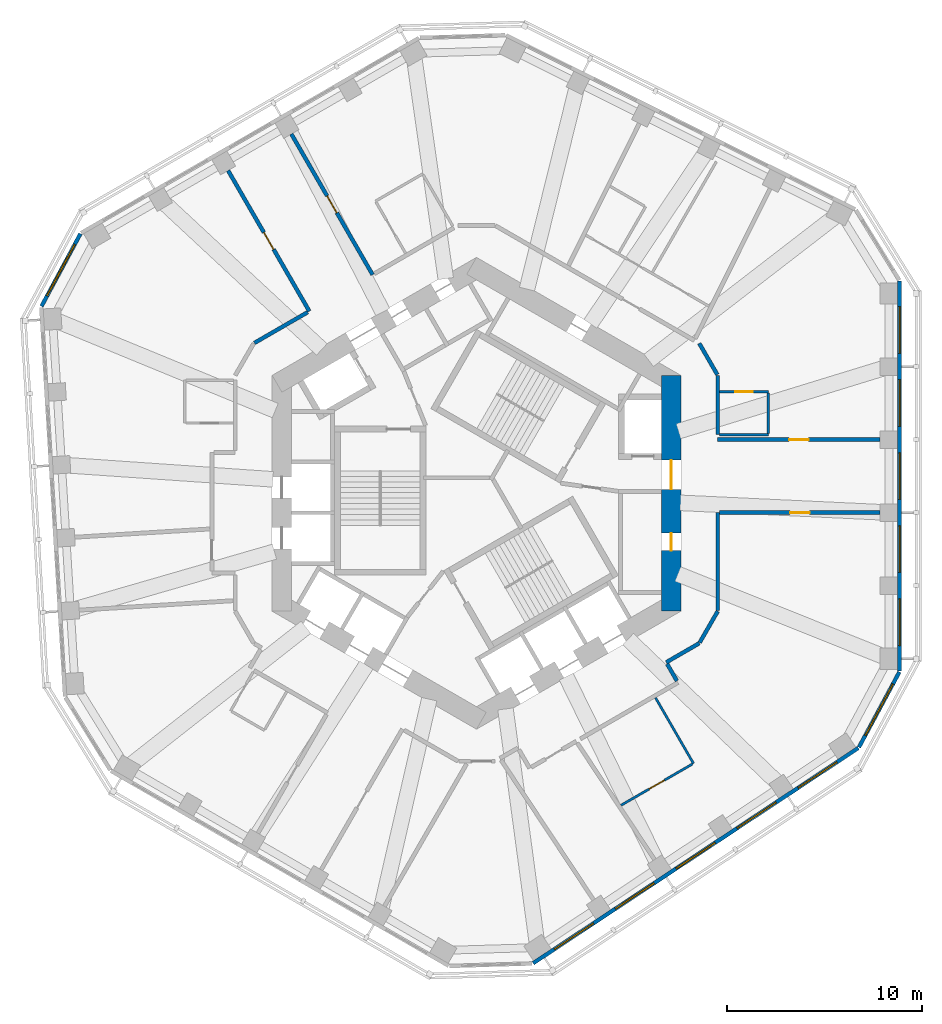
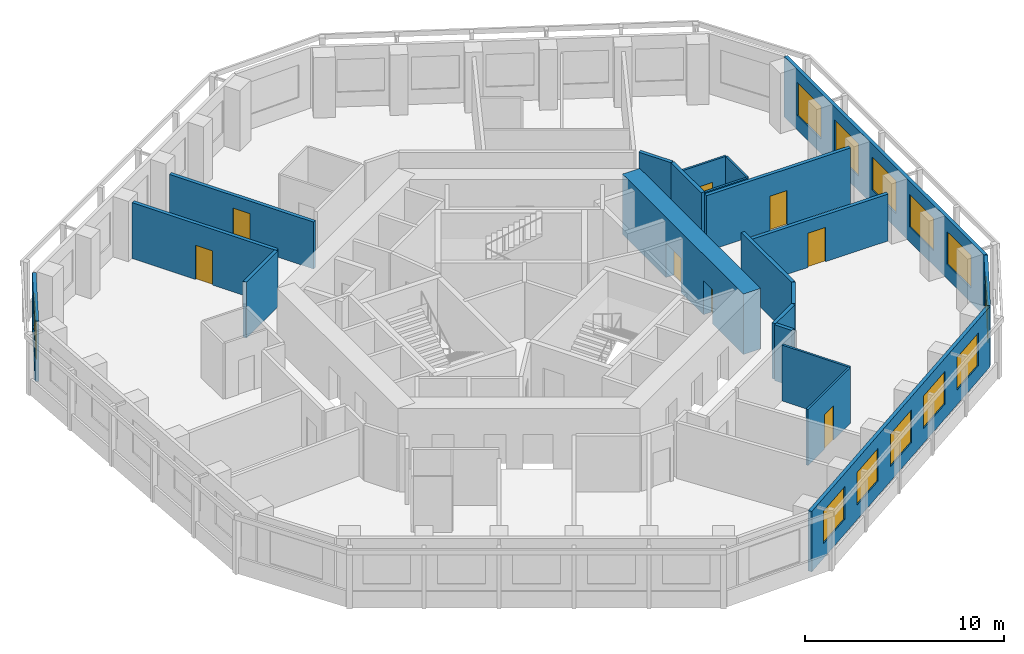
# One storey, part 6 of 11: 21 walls, 12 windows, 8 doors, 20 openings.
"""IFC4 building model written with IfcOpenShell, lengths in metres."""

from ifc_helpers import new_model, si_unit, direction, frame, frame_2d, origin, place, context, subcontext, project, spatial, rectangle, extrude, material, layer, layer_set, type_object, element, fill, save


model = new_model("IFC4")

# Units and contexts
model_context = context("Model", 3, precision=1e-05, world=origin(), true_north=direction((0.0, 1.0)))
body_context = subcontext(model_context, "Body", "Model", "MODEL_VIEW")
ifc_project = project(units=[si_unit("LENGTHUNIT", "METRE"), si_unit("AREAUNIT", "SQUARE_METRE"), si_unit("VOLUMEUNIT", "CUBIC_METRE"), si_unit("PLANEANGLEUNIT", "RADIAN"), si_unit("MASSUNIT", "GRAM", prefix="KILO")], contexts=[model_context])

# Site, building, storey
site_placement = place(None, origin())
site = spatial("IfcSite", under=ifc_project, at=site_placement, CompositionType="ELEMENT")
building_placement = place(site_placement, origin())
building = spatial("IfcBuilding", under=site, at=building_placement, Name="Vanh Sen Convention Tower", CompositionType="ELEMENT")
storey_placement = place(building_placement, frame((0.0, 0.0, 187.300048828125)))
storey = spatial("IfcBuildingStorey", under=building, at=storey_placement, Name="L46", CompositionType="ELEMENT", Elevation=187.300048828125)

# Wall
ifc_material_1 = material(Name="Moisture-resistant gypsum board on steel studs", Category="steel")
ifc_layer_1 = layer(ifc_material_1, 0.1201171875)
ifc_layer_set_1 = layer_set([ifc_layer_1], Name="Moisture-resistant gypsum board on steel studs")
wall_type_1 = type_object("IfcWallType", Name="Bathroom partition 120", PredefinedType="PARTITIONING", material=ifc_layer_set_1)
wall_1_placement = place(storey_placement, frame((9.201904296875, -10.5078125, 0.0), z_axis=(0.0, 0.0, 1.0), x_axis=(0.500043961785, -0.866000020948, 0.0)))
element("IfcWall", 1, at=wall_1_placement, inside=storey, type_object=wall_type_1, Name="Bathroom partition 120", PredefinedType="PARTITIONING", context=body_context, shape_type="SweptSolid", body=[
    extrude(rectangle(XDim=3.900146484375, YDim=0.1201171875, at=frame_2d((1.9501953125, 0.0))), origin(), (0.0, 0.0, 1.0), 3.419921875),
])

# Wall, opening, door
wall_2_placement = place(storey_placement, frame((11.10009765625, -13.915283203125, 0.0), z_axis=(0.0, 0.0, 1.0), x_axis=(-0.866048475386, -0.499960036685, 0.0)))
wall_2 = element("IfcWall", 2, at=wall_2_placement, inside=storey, type_object=wall_type_1, Name="Bathroom partition 120", PredefinedType="PARTITIONING", context=body_context, shape_type="SweptSolid", body=[
    extrude(rectangle(XDim=4.239990234375, YDim=0.1201171875, at=frame_2d((2.1201171875, 0.0))), origin(), (0.0, 0.0, 1.0), 3.419921875),
])
opening_1_placement = place(wall_2_placement, frame((1.669921875, 0.0, 0.0)))
opening_1 = element("IfcOpeningElement", 3, at=opening_1_placement, cuts=wall_2, Name="Opening D44118", PredefinedType="OPENING", context=body_context, shape_type="SweptSolid", body=[
    extrude(rectangle(XDim=0.89990234375, YDim=2.10009765625, at=frame_2d((0.449951171875, 1.050048828125))), frame((0.0, 0.070068359375, 0.0), z_axis=(0.0, -1.0, 0.0), x_axis=(1.0, 0.0, 0.0)), (0.0, 0.0, 1.0), 0.14013671875),
])
ifc_material_2 = material(Name="Laminate door in steel frame", Category="steel")
door_type_1 = type_object("IfcDoorType", Name="Room internal door 900", OperationType="SINGLE_SWING_LEFT", PredefinedType="DOOR", material=ifc_material_2)
door_1_placement = place(opening_1_placement, origin())
door_1 = element("IfcDoor", 4, at=door_1_placement, inside=storey, type_object=door_type_1, Name="Internal room door D44118", OperationType="SINGLE_SWING_LEFT", OverallHeight=2.10009765625, OverallWidth=0.89990234375, PredefinedType="DOOR", context=body_context, shape_type="SweptSolid", body=[
    extrude(rectangle(XDim=0.89990234375, YDim=2.10009765625, at=frame_2d((0.449951171875, 1.050048828125))), frame((0.0, 0.02490234375, 0.0), z_axis=(0.0, -1.0, 0.0), x_axis=(1.0, 0.0, 0.0)), (0.0, 0.0, 1.0), 0.050048828125),
])
fill(opening_1, door_1)

wall_3_placement = place(storey_placement, frame((12.5, 5.211181640625, 0.0), z_axis=(0.0, 0.0, 1.0), x_axis=(1.0, 0.0, 0.0)))
wall_3 = element("IfcWall", 5, at=wall_3_placement, inside=storey, type_object=wall_type_1, Name="Bathroom partition 120", PredefinedType="PARTITIONING", context=body_context, shape_type="SweptSolid", body=[
    extrude(rectangle(XDim=2.5, YDim=0.1201171875, at=frame_2d((1.25, 0.0))), origin(), (0.0, 0.0, 1.0), 3.419921875),
])
opening_2_placement = place(wall_3_placement, frame((0.800048828125, 0.0, 0.0)))
opening_2 = element("IfcOpeningElement", 6, at=opening_2_placement, cuts=wall_3, Name="Opening D44102", PredefinedType="OPENING", context=body_context, shape_type="SweptSolid", body=[
    extrude(rectangle(XDim=0.89990234375, YDim=2.10009765625, at=frame_2d((0.449951171875, 1.050048828125))), frame((0.0, 0.070068359375, 0.0), z_axis=(0.0, -1.0, 0.0), x_axis=(1.0, 0.0, 0.0)), (0.0, 0.0, 1.0), 0.14013671875),
])
door_2_placement = place(opening_2_placement, origin())
door_2 = element("IfcDoor", 7, at=door_2_placement, inside=storey, type_object=door_type_1, Name="Internal room door D44102", OperationType="SINGLE_SWING_LEFT", OverallHeight=2.10009765625, OverallWidth=0.89990234375, PredefinedType="DOOR", context=body_context, shape_type="SweptSolid", body=[
    extrude(rectangle(XDim=0.89990234375, YDim=2.10009765625, at=frame_2d((0.449951171875, 1.050048828125))), frame((0.0, 0.02490234375, 0.0), z_axis=(0.0, -1.0, 0.0), x_axis=(1.0, 0.0, 0.0)), (0.0, 0.0, 1.0), 0.050048828125),
])
fill(opening_2, door_2)

# Walls
wall_4_placement = place(storey_placement, frame((15.0, 3.01123046875, 0.0), z_axis=(0.0, 0.0, 1.0), x_axis=(-1.0, 0.0, 0.0)))
element("IfcWall", 8, at=wall_4_placement, inside=storey, type_object=wall_type_1, Name="Bathroom partition 120", PredefinedType="PARTITIONING", context=body_context, shape_type="SweptSolid", body=[
    extrude(rectangle(XDim=2.5, YDim=0.1201171875, at=frame_2d((1.25, 0.0))), origin(), (0.0, 0.0, 1.0), 3.419921875),
])
wall_5_placement = place(storey_placement, frame((15.0, 5.1513671875, 0.0), z_axis=(0.0, 0.0, 1.0), x_axis=(0.0, -1.0, 0.0)))
element("IfcWall", 9, at=wall_5_placement, inside=storey, type_object=wall_type_1, Name="Bathroom partition 120", PredefinedType="PARTITIONING", context=body_context, shape_type="SweptSolid", body=[
    extrude(rectangle(XDim=2.080078125, YDim=0.1201171875, at=frame_2d((1.0400390625, 0.0))), origin(), (0.0, 0.0, 1.0), 3.419921875),
])

# Wall, openings, doors
ifc_material_3 = material(Name="Concrete C80/95", Category="concrete")
ifc_layer_2 = layer(ifc_material_3, 1.0)
ifc_layer_set_2 = layer_set([ifc_layer_2], Name="Concrete C80/95")
wall_type_2 = type_object("IfcWallType", Name="Core outer wall 1000 C80/95", PredefinedType="SHEAR", material=ifc_layer_set_2)
wall_6_placement = place(storey_placement, frame((10.0, -6.062255859375, 0.0), z_axis=(0.0, 0.0, 1.0), x_axis=(0.0, 1.0, 0.0)))
wall_6 = element("IfcWall", 10, at=wall_6_placement, inside=storey, type_object=wall_type_2, Name="Core wall face E L46", PredefinedType="SHEAR", context=body_context, shape_type="SweptSolid", body=[
    extrude(rectangle(XDim=12.12451171875, YDim=1.0, at=frame_2d((6.062255859375, 0.0))), origin(), (0.0, 0.0, 1.0), 3.699951171875),
])
opening_3_placement = place(wall_6_placement, frame((6.26220703125, 0.0, 0.0)))
opening_3 = element("IfcOpeningElement", 11, at=opening_3_placement, cuts=wall_6, Name="Opening D44001", PredefinedType="OPENING", context=body_context, shape_type="SweptSolid", body=[
    extrude(rectangle(XDim=1.5, YDim=2.10009765625, at=frame_2d((0.75, 1.050048828125))), frame((0.0, 0.510009765625, 0.0), z_axis=(0.0, -1.0, 0.0), x_axis=(1.0, 0.0, 0.0)), (0.0, 0.0, 1.0), 1.02001953125),
])
opening_4_placement = place(wall_6_placement, frame((3.1123046875, 0.0, 0.0)))
opening_4 = element("IfcOpeningElement", 12, at=opening_4_placement, cuts=wall_6, Name="Opening D44010", PredefinedType="OPENING", context=body_context, shape_type="SweptSolid", body=[
    extrude(rectangle(XDim=0.89990234375, YDim=2.10009765625, at=frame_2d((0.449951171875, 1.050048828125))), frame((0.0, 0.510009765625, 0.0), z_axis=(0.0, -1.0, 0.0), x_axis=(1.0, 0.0, 0.0)), (0.0, 0.0, 1.0), 1.02001953125),
])
ifc_material_4 = material(Name="Steel S355", Category="steel")
door_type_2 = type_object("IfcDoorType", Name="Plant door 900", OperationType="SINGLE_SWING_LEFT", PredefinedType="DOOR", material=ifc_material_4)
door_3_placement = place(opening_4_placement, origin())
door_3 = element("IfcDoor", 13, at=door_3_placement, inside=storey, type_object=door_type_2, Name="Plant door D44010", OperationType="SINGLE_SWING_LEFT", OverallHeight=2.10009765625, OverallWidth=0.89990234375, PredefinedType="DOOR", context=body_context, shape_type="SweptSolid", body=[
    extrude(rectangle(XDim=0.89990234375, YDim=2.10009765625, at=frame_2d((0.449951171875, 1.050048828125))), frame((0.0, 0.02490234375, 0.0), z_axis=(0.0, -1.0, 0.0), x_axis=(1.0, 0.0, 0.0)), (0.0, 0.0, 1.0), 0.050048828125),
])
fill(opening_4, door_3)
door_type_3 = type_object("IfcDoorType", Name="Stair lobby door 1500", OperationType="DOUBLE_DOOR_SINGLE_SWING", PredefinedType="DOOR", material=ifc_material_4)
door_4_placement = place(opening_3_placement, origin())
door_4 = element("IfcDoor", 14, at=door_4_placement, inside=storey, type_object=door_type_3, Name="Stair lobby door D44001", OperationType="DOUBLE_DOOR_SINGLE_SWING", OverallHeight=2.10009765625, OverallWidth=1.5, PredefinedType="DOOR", context=body_context, shape_type="SweptSolid", body=[
    extrude(rectangle(XDim=1.5, YDim=2.10009765625, at=frame_2d((0.75, 1.050048828125))), frame((0.0, 0.02490234375, 0.0), z_axis=(0.0, -1.0, 0.0), x_axis=(1.0, 0.0, 0.0)), (0.0, 0.0, 1.0), 0.050048828125),
])
fill(opening_3, door_4)

# Wall, opening, door
ifc_material_5 = material(Name="Gypsum board on steel studs with mineral wool", Category="steel")
ifc_layer_3 = layer(ifc_material_5, 0.199951171875)
ifc_layer_set_3 = layer_set([ifc_layer_3], Name="Gypsum board on steel studs with mineral wool")
wall_type_3 = type_object("IfcWallType", Name="Corridor partition wall 200", PredefinedType="PARTITIONING", material=ifc_layer_set_3)
wall_7_placement = place(storey_placement, frame((-12.766357421875, 16.58935546875, 0.0), z_axis=(0.0, 0.0, 1.0), x_axis=(0.500010139422, -0.866019549707, 0.0)))
wall_7 = element("IfcWall", 15, at=wall_7_placement, inside=storey, type_object=wall_type_3, Name="Corridor partition wall 200", PredefinedType="PARTITIONING", context=body_context, shape_type="SweptSolid", body=[
    extrude(rectangle(XDim=8.349853515625, YDim=0.199951171875, at=frame_2d((4.1748046875, 0.0))), origin(), (0.0, 0.0, 1.0), 3.419921875),
])
opening_5_placement = place(wall_7_placement, frame((3.675048828125, 0.0, 0.0)))
opening_5 = element("IfcOpeningElement", 16, at=opening_5_placement, cuts=wall_7, Name="Opening D44109", PredefinedType="OPENING", context=body_context, shape_type="SweptSolid", body=[
    extrude(rectangle(XDim=1.0, YDim=2.10009765625, at=frame_2d((0.5, 1.050048828125))), frame((0.0, 0.10986328125, 0.0), z_axis=(0.0, -1.0, 0.0), x_axis=(1.0, 0.0, 0.0)), (0.0, 0.0, 1.0), 0.219970703125),
])
ifc_material_6 = material(Name="Glazed fire door in steel frame", Category="steel")
door_type_4 = type_object("IfcDoorType", Name="Tenant entrance door 1000", OperationType="SINGLE_SWING_LEFT", PredefinedType="DOOR", material=ifc_material_6)
door_5_placement = place(opening_5_placement, origin())
door_5 = element("IfcDoor", 17, at=door_5_placement, inside=storey, type_object=door_type_4, Name="Tenant suite entrance door D44109", OperationType="SINGLE_SWING_LEFT", OverallHeight=2.10009765625, OverallWidth=1.0, PredefinedType="DOOR", context=body_context, shape_type="SweptSolid", body=[
    extrude(rectangle(XDim=1.0, YDim=2.10009765625, at=frame_2d((0.5, 1.050048828125))), frame((0.0, 0.02490234375, 0.0), z_axis=(0.0, -1.0, 0.0), x_axis=(1.0, 0.0, 0.0)), (0.0, 0.0, 1.0), 0.050048828125),
])
fill(opening_5, door_5)

wall_8_placement = place(storey_placement, frame((-9.51513671875, 18.46630859375, 0.0), z_axis=(0.0, 0.0, 1.0), x_axis=(0.500010139422, -0.866019549707, 0.0)))
wall_8 = element("IfcWall", 18, at=wall_8_placement, inside=storey, type_object=wall_type_3, Name="Corridor partition wall 200", PredefinedType="PARTITIONING", context=body_context, shape_type="SweptSolid", body=[
    extrude(rectangle(XDim=8.349853515625, YDim=0.199951171875, at=frame_2d((4.1748046875, 0.0))), origin(), (0.0, 0.0, 1.0), 2.869873046875),
])
opening_6_placement = place(wall_8_placement, frame((3.675048828125, 0.0, 0.0)))
opening_6 = element("IfcOpeningElement", 19, at=opening_6_placement, cuts=wall_8, Name="Opening D44107", PredefinedType="OPENING", context=body_context, shape_type="SweptSolid", body=[
    extrude(rectangle(XDim=1.0, YDim=2.10009765625, at=frame_2d((0.5, 1.050048828125))), frame((0.0, 0.10986328125, 0.0), z_axis=(0.0, -1.0, 0.0), x_axis=(1.0, 0.0, 0.0)), (0.0, 0.0, 1.0), 0.219970703125),
])
door_6_placement = place(opening_6_placement, origin())
door_6 = element("IfcDoor", 20, at=door_6_placement, inside=storey, type_object=door_type_4, Name="Tenant suite entrance door D44107", OperationType="SINGLE_SWING_LEFT", OverallHeight=2.10009765625, OverallWidth=1.0, PredefinedType="DOOR", context=body_context, shape_type="SweptSolid", body=[
    extrude(rectangle(XDim=1.0, YDim=2.10009765625, at=frame_2d((0.5, 1.050048828125))), frame((0.0, 0.02490234375, 0.0), z_axis=(0.0, -1.0, 0.0), x_axis=(1.0, 0.0, 0.0)), (0.0, 0.0, 1.0), 0.050048828125),
])
fill(opening_6, door_6)

# Walls
wall_9_placement = place(storey_placement, frame((-8.677978515625, 9.30810546875, 0.0), z_axis=(0.0, 0.0, 1.0), x_axis=(-0.866000359435, -0.500043375578, 0.0)))
element("IfcWall", 21, at=wall_9_placement, inside=storey, type_object=wall_type_3, Name="Corridor partition wall 200", PredefinedType="PARTITIONING", context=body_context, shape_type="SweptSolid", body=[
    extrude(rectangle(XDim=3.160888671875, YDim=0.199951171875, at=frame_2d((1.58056640625, 0.0))), origin(), (0.0, 0.0, 1.0), 3.419921875),
])
wall_10_placement = place(storey_placement, frame((9.751708984375, -8.688232421875, 0.0), z_axis=(0.0, 0.0, 1.0), x_axis=(0.865974105138, 0.500088841337, 0.0)))
element("IfcWall", 22, at=wall_10_placement, inside=storey, type_object=wall_type_3, Name="Corridor partition wall 200", PredefinedType="PARTITIONING", context=body_context, shape_type="SweptSolid", body=[
    extrude(rectangle(XDim=1.961181640625, YDim=0.199951171875, at=frame_2d((0.98046875, 0.0))), origin(), (0.0, 0.0, 1.0), 3.419921875),
])
wall_11_placement = place(storey_placement, frame((10.302001953125, -9.6416015625, 0.0), z_axis=(0.0, 0.0, 1.0), x_axis=(-0.500074377092, 0.865982457891, 0.0)))
element("IfcWall", 23, at=wall_11_placement, inside=storey, type_object=wall_type_3, Name="Corridor partition wall 200", PredefinedType="PARTITIONING", context=body_context, shape_type="SweptSolid", body=[
    extrude(rectangle(XDim=1.000732421875, YDim=0.199951171875, at=frame_2d((0.50048828125, 0.0))), origin(), (0.0, 0.0, 1.0), 3.419921875),
])
for number, where, z_axis, x_axis, name in (
    (24, (11.469970703125, -7.673095703125, 0.0), (0.0, 0.0, 1.0), (0.499964847546, 0.866045698112, 0.0), "Corridor partition wall 200"),
    (25, (12.3798828125, 6.0966796875, 0.0), (0.0, 0.0, 1.0), (-0.499964847546, 0.866045698112, 0.0), "Corridor partition wall 200"),
):
    element("IfcWall", number, at=place(storey_placement, frame(where, z_axis=z_axis, x_axis=x_axis)), inside=storey, type_object=wall_type_3, Name=name, PredefinedType="PARTITIONING", context=body_context, shape_type="SweptSolid", body=[
        extrude(rectangle(XDim=1.860107421875, YDim=0.199951171875, at=frame_2d((0.93017578125, 0.0))), origin(), (0.0, 0.0, 1.0), 3.419921875),
    ])
wall_12_placement = place(storey_placement, frame((12.39990234375, -6.022216796875, 0.0), z_axis=(0.0, 0.0, 1.0), x_axis=(0.0, 1.0, 0.0)))
element("IfcWall", 26, at=wall_12_placement, inside=storey, type_object=wall_type_3, Name="Corridor partition wall 200", PredefinedType="PARTITIONING", context=body_context, shape_type="SweptSolid", body=[
    extrude(rectangle(XDim=5.029296875, YDim=0.199951171875, at=frame_2d((2.5146484375, 0.0))), origin(), (0.0, 0.0, 1.0), 3.419921875),
])
wall_13_placement = place(storey_placement, frame((12.39990234375, 3.01123046875, 0.0), z_axis=(0.0, 0.0, 1.0), x_axis=(0.0, 1.0, 0.0)))
element("IfcWall", 27, at=wall_13_placement, inside=storey, type_object=wall_type_3, Name="Corridor partition wall 200", PredefinedType="PARTITIONING", context=body_context, shape_type="SweptSolid", body=[
    extrude(rectangle(XDim=3.051025390625, YDim=0.199951171875, at=frame_2d((1.525390625, 0.0))), origin(), (0.0, 0.0, 1.0), 3.419921875),
])

# Wall, opening, door
wall_14_placement = place(storey_placement, frame((12.5, -0.992919921875, 0.0), z_axis=(0.0, 0.0, 1.0), x_axis=(1.0, 0.0, 0.0)))
wall_14 = element("IfcWall", 28, at=wall_14_placement, inside=storey, type_object=wall_type_3, Name="Corridor partition wall 200", PredefinedType="PARTITIONING", context=body_context, shape_type="SweptSolid", body=[
    extrude(rectangle(XDim=8.25, YDim=0.199951171875, at=frame_2d((4.125, 0.0))), origin(), (0.0, 0.0, 1.0), 2.869873046875),
])
opening_7_placement = place(wall_14_placement, frame((3.625, 0.0, 0.0)))
opening_7 = element("IfcOpeningElement", 29, at=opening_7_placement, cuts=wall_14, Name="Opening D44117", PredefinedType="OPENING", context=body_context, shape_type="SweptSolid", body=[
    extrude(rectangle(XDim=1.0, YDim=2.10009765625, at=frame_2d((0.5, 1.050048828125))), frame((0.0, 0.10986328125, 0.0), z_axis=(0.0, -1.0, 0.0), x_axis=(1.0, 0.0, 0.0)), (0.0, 0.0, 1.0), 0.219970703125),
])
door_7_placement = place(opening_7_placement, origin())
door_7 = element("IfcDoor", 30, at=door_7_placement, inside=storey, type_object=door_type_4, Name="Tenant suite entrance door D44117", OperationType="SINGLE_SWING_LEFT", OverallHeight=2.10009765625, OverallWidth=1.0, PredefinedType="DOOR", context=body_context, shape_type="SweptSolid", body=[
    extrude(rectangle(XDim=1.0, YDim=2.10009765625, at=frame_2d((0.5, 1.050048828125))), frame((0.0, 0.02490234375, 0.0), z_axis=(0.0, -1.0, 0.0), x_axis=(1.0, 0.0, 0.0)), (0.0, 0.0, 1.0), 0.050048828125),
])
fill(opening_7, door_7)

wall_15_placement = place(storey_placement, frame((20.75, 2.76123046875, 0.0), z_axis=(0.0, 0.0, 1.0), x_axis=(-1.0, 0.0, 0.0)))
wall_15 = element("IfcWall", 31, at=wall_15_placement, inside=storey, type_object=wall_type_3, Name="Corridor partition wall 200", PredefinedType="PARTITIONING", context=body_context, shape_type="SweptSolid", body=[
    extrude(rectangle(XDim=8.35009765625, YDim=0.199951171875, at=frame_2d((4.175048828125, 0.0))), origin(), (0.0, 0.0, 1.0), 3.419921875),
])
opening_8_placement = place(wall_15_placement, frame((3.675048828125, 0.0, 0.0)))
opening_8 = element("IfcOpeningElement", 32, at=opening_8_placement, cuts=wall_15, Name="Opening D44101", PredefinedType="OPENING", context=body_context, shape_type="SweptSolid", body=[
    extrude(rectangle(XDim=1.0, YDim=2.10009765625, at=frame_2d((0.5, 1.050048828125))), frame((0.0, 0.10986328125, 0.0), z_axis=(0.0, -1.0, 0.0), x_axis=(1.0, 0.0, 0.0)), (0.0, 0.0, 1.0), 0.219970703125),
])
door_8_placement = place(opening_8_placement, origin())
door_8 = element("IfcDoor", 33, at=door_8_placement, inside=storey, type_object=door_type_4, Name="Tenant suite entrance door D44101", OperationType="SINGLE_SWING_LEFT", OverallHeight=2.10009765625, OverallWidth=1.0, PredefinedType="DOOR", context=body_context, shape_type="SweptSolid", body=[
    extrude(rectangle(XDim=1.0, YDim=2.10009765625, at=frame_2d((0.5, 1.050048828125))), frame((0.0, 0.02490234375, 0.0), z_axis=(0.0, -1.0, 0.0), x_axis=(1.0, 0.0, 0.0)), (0.0, 0.0, 1.0), 0.050048828125),
])
fill(opening_8, door_8)

# Wall, openings, windows
ifc_material_7 = material(Name="Insulated lightweight infill wall")
ifc_layer_4 = layer(ifc_material_7, 0.199951171875)
ifc_layer_set_4 = layer_set([ifc_layer_4], Name="Insulated lightweight infill wall")
wall_type_4 = type_object("IfcWallType", Name="External wall 200", PredefinedType="STANDARD", material=ifc_layer_set_4)
wall_16_placement = place(storey_placement, frame((21.75, -9.138427734375, 0.0), z_axis=(0.0, 0.0, 1.0), x_axis=(0.0, 1.0, 0.0)))
wall_16 = element("IfcWall", 34, at=wall_16_placement, inside=storey, type_object=wall_type_4, Name="External wall E L46", PredefinedType="STANDARD", context=body_context, shape_type="SweptSolid", body=[
    extrude(rectangle(XDim=20.043701171875, YDim=0.199951171875, at=frame_2d((10.02197265625, 0.0))), origin(), (0.0, 0.0, 1.0), 3.699951171875),
])
opening_9_placement = place(wall_16_placement, frame((1.314453125, 0.0, 0.89990234375)))
opening_9 = element("IfcOpeningElement", 35, at=opening_9_placement, cuts=wall_16, Name="Opening WO1-E1", PredefinedType="OPENING", context=body_context, shape_type="SweptSolid", body=[
    extrude(rectangle(XDim=2.39990234375, YDim=2.0, at=frame_2d((1.199951171875, 1.0))), frame((0.0, 0.10986328125, 0.0), z_axis=(0.0, -1.0, 0.0), x_axis=(1.0, 0.0, 0.0)), (0.0, 0.0, 1.0), 0.219970703125),
])
opening_10_placement = place(wall_16_placement, frame((5.068603515625, 0.0, 0.89990234375)))
opening_10 = element("IfcOpeningElement", 36, at=opening_10_placement, cuts=wall_16, Name="Opening WO1-E2", PredefinedType="OPENING", context=body_context, shape_type="SweptSolid", body=[
    extrude(rectangle(XDim=2.39990234375, YDim=2.0, at=frame_2d((1.199951171875, 1.0))), frame((0.0, 0.10986328125, 0.0), z_axis=(0.0, -1.0, 0.0), x_axis=(1.0, 0.0, 0.0)), (0.0, 0.0, 1.0), 0.219970703125),
])
opening_11_placement = place(wall_16_placement, frame((8.82275390625, 0.0, 0.89990234375)))
opening_11 = element("IfcOpeningElement", 37, at=opening_11_placement, cuts=wall_16, Name="Opening WO1-E3", PredefinedType="OPENING", context=body_context, shape_type="SweptSolid", body=[
    extrude(rectangle(XDim=2.39990234375, YDim=2.0, at=frame_2d((1.199951171875, 1.0))), frame((0.0, 0.10986328125, 0.0), z_axis=(0.0, -1.0, 0.0), x_axis=(1.0, 0.0, 0.0)), (0.0, 0.0, 1.0), 0.219970703125),
])
opening_12_placement = place(wall_16_placement, frame((12.576904296875, 0.0, 0.89990234375)))
opening_12 = element("IfcOpeningElement", 38, at=opening_12_placement, cuts=wall_16, Name="Opening WO1-E4", PredefinedType="OPENING", context=body_context, shape_type="SweptSolid", body=[
    extrude(rectangle(XDim=2.39990234375, YDim=2.0, at=frame_2d((1.199951171875, 1.0))), frame((0.0, 0.10986328125, 0.0), z_axis=(0.0, -1.0, 0.0), x_axis=(1.0, 0.0, 0.0)), (0.0, 0.0, 1.0), 0.219970703125),
])
opening_13_placement = place(wall_16_placement, frame((16.330810546875, 0.0, 0.89990234375)))
opening_13 = element("IfcOpeningElement", 39, at=opening_13_placement, cuts=wall_16, Name="Opening WO1-E5", PredefinedType="OPENING", context=body_context, shape_type="SweptSolid", body=[
    extrude(rectangle(XDim=2.39990234375, YDim=2.0, at=frame_2d((1.199951171875, 1.0))), frame((0.0, 0.10986328125, 0.0), z_axis=(0.0, -1.0, 0.0), x_axis=(1.0, 0.0, 0.0)), (0.0, 0.0, 1.0), 0.219970703125),
])
ifc_material_8 = material(Name="Aluminium frame with clear low-emissivity glass", Category="aluminium")
window_type_1 = type_object("IfcWindowType", Name="Office window 2400 x 2000", PartitioningType="SINGLE_PANEL", PredefinedType="WINDOW", material=ifc_material_8)
window_1_placement = place(opening_9_placement, origin())
window_1 = element("IfcWindow", 40, at=window_1_placement, inside=storey, type_object=window_type_1, Name="Window WO1-E1", OverallHeight=2.0, OverallWidth=2.39990234375, PartitioningType="SINGLE_PANEL", PredefinedType="WINDOW", context=body_context, shape_type="SweptSolid", body=[
    extrude(rectangle(XDim=2.39990234375, YDim=2.0, at=frame_2d((1.199951171875, 1.0))), frame((0.0, 0.030029296875, 0.0), z_axis=(0.0, -1.0, 0.0), x_axis=(1.0, 0.0, 0.0)), (0.0, 0.0, 1.0), 0.06005859375),
])
fill(opening_9, window_1)
window_2_placement = place(opening_10_placement, origin())
window_2 = element("IfcWindow", 41, at=window_2_placement, inside=storey, type_object=window_type_1, Name="Window WO1-E2", OverallHeight=2.0, OverallWidth=2.39990234375, PartitioningType="SINGLE_PANEL", PredefinedType="WINDOW", context=body_context, shape_type="SweptSolid", body=[
    extrude(rectangle(XDim=2.39990234375, YDim=2.0, at=frame_2d((1.199951171875, 1.0))), frame((0.0, 0.030029296875, 0.0), z_axis=(0.0, -1.0, 0.0), x_axis=(1.0, 0.0, 0.0)), (0.0, 0.0, 1.0), 0.06005859375),
])
fill(opening_10, window_2)
window_3_placement = place(opening_11_placement, origin())
window_3 = element("IfcWindow", 42, at=window_3_placement, inside=storey, type_object=window_type_1, Name="Window WO1-E3", OverallHeight=2.0, OverallWidth=2.39990234375, PartitioningType="SINGLE_PANEL", PredefinedType="WINDOW", context=body_context, shape_type="SweptSolid", body=[
    extrude(rectangle(XDim=2.39990234375, YDim=2.0, at=frame_2d((1.199951171875, 1.0))), frame((0.0, 0.030029296875, 0.0), z_axis=(0.0, -1.0, 0.0), x_axis=(1.0, 0.0, 0.0)), (0.0, 0.0, 1.0), 0.06005859375),
])
fill(opening_11, window_3)
window_4_placement = place(opening_12_placement, origin())
window_4 = element("IfcWindow", 43, at=window_4_placement, inside=storey, type_object=window_type_1, Name="Window WO1-E4", OverallHeight=2.0, OverallWidth=2.39990234375, PartitioningType="SINGLE_PANEL", PredefinedType="WINDOW", context=body_context, shape_type="SweptSolid", body=[
    extrude(rectangle(XDim=2.39990234375, YDim=2.0, at=frame_2d((1.199951171875, 1.0))), frame((0.0, 0.030029296875, 0.0), z_axis=(0.0, -1.0, 0.0), x_axis=(1.0, 0.0, 0.0)), (0.0, 0.0, 1.0), 0.06005859375),
])
fill(opening_12, window_4)
window_5_placement = place(opening_13_placement, origin())
window_5 = element("IfcWindow", 44, at=window_5_placement, inside=storey, type_object=window_type_1, Name="Window WO1-E5", OverallHeight=2.0, OverallWidth=2.39990234375, PartitioningType="SINGLE_PANEL", PredefinedType="WINDOW", context=body_context, shape_type="SweptSolid", body=[
    extrude(rectangle(XDim=2.39990234375, YDim=2.0, at=frame_2d((1.199951171875, 1.0))), frame((0.0, 0.030029296875, 0.0), z_axis=(0.0, -1.0, 0.0), x_axis=(1.0, 0.0, 0.0)), (0.0, 0.0, 1.0), 0.06005859375),
])
fill(opening_13, window_5)

# Wall, opening, window
wall_17_placement = place(storey_placement, frame((-20.357421875, 13.343994140625, 0.0), z_axis=(0.0, 0.0, 1.0), x_axis=(-0.473288913494, -0.880907262068, 0.0)))
wall_17 = element("IfcWall", 45, at=wall_17_placement, inside=storey, type_object=wall_type_4, Name="External wall CH3 L46", PredefinedType="STANDARD", context=body_context, shape_type="SweptSolid", body=[
    extrude(rectangle(XDim=4.238037109375, YDim=0.199951171875, at=frame_2d((2.119140625, 0.0))), origin(), (0.0, 0.0, 1.0), 3.699951171875),
])
opening_14_placement = place(wall_17_placement, frame((0.619140625, 0.0, 0.89990234375)))
opening_14 = element("IfcOpeningElement", 46, at=opening_14_placement, cuts=wall_17, Name="Opening WO2-CH31", PredefinedType="OPENING", context=body_context, shape_type="SweptSolid", body=[
    extrude(rectangle(XDim=3.0, YDim=2.0, at=frame_2d((1.5, 1.0))), frame((0.0, 0.10986328125, 0.0), z_axis=(0.0, -1.0, 0.0), x_axis=(1.0, 0.0, 0.0)), (0.0, 0.0, 1.0), 0.219970703125),
])
window_type_2 = type_object("IfcWindowType", Name="Office window 3000 x 2000", PartitioningType="SINGLE_PANEL", PredefinedType="WINDOW", material=ifc_material_8)
window_6_placement = place(opening_14_placement, origin())
window_6 = element("IfcWindow", 47, at=window_6_placement, inside=storey, type_object=window_type_2, Name="Window WO2-CH31", OverallHeight=2.0, OverallWidth=3.0, PartitioningType="SINGLE_PANEL", PredefinedType="WINDOW", context=body_context, shape_type="SweptSolid", body=[
    extrude(rectangle(XDim=3.0, YDim=2.0, at=frame_2d((1.5, 1.0))), frame((0.0, 0.030029296875, 0.0), z_axis=(0.0, -1.0, 0.0), x_axis=(1.0, 0.0, 0.0)), (0.0, 0.0, 1.0), 0.06005859375),
])
fill(opening_14, window_6)

# Wall, openings, windows
wall_18_placement = place(storey_placement, frame((2.910888671875, -24.156005859375, 0.0), z_axis=(0.0, 0.0, 1.0), x_axis=(0.833882163564, 0.551942512668, 0.0)))
wall_18 = element("IfcWall", 48, at=wall_18_placement, inside=storey, type_object=wall_type_4, Name="External wall SE L46", PredefinedType="STANDARD", context=body_context, shape_type="SweptSolid", body=[
    extrude(rectangle(XDim=20.043701171875, YDim=0.199951171875, at=frame_2d((10.02197265625, 0.0))), origin(), (0.0, 0.0, 1.0), 3.699951171875),
])
opening_15_placement = place(wall_18_placement, frame((1.312744140625, 0.0, 0.89990234375)))
opening_15 = element("IfcOpeningElement", 49, at=opening_15_placement, cuts=wall_18, Name="Opening WO1-SE1", PredefinedType="OPENING", context=body_context, shape_type="SweptSolid", body=[
    extrude(rectangle(XDim=2.39990234375, YDim=2.0, at=frame_2d((1.199951171875, 1.0))), frame((0.0, 0.10986328125, 0.0), z_axis=(0.0, -1.0, 0.0), x_axis=(1.0, 0.0, 0.0)), (0.0, 0.0, 1.0), 0.219970703125),
])
opening_16_placement = place(wall_18_placement, frame((5.06689453125, 0.0, 0.89990234375)))
opening_16 = element("IfcOpeningElement", 50, at=opening_16_placement, cuts=wall_18, Name="Opening WO1-SE2", PredefinedType="OPENING", context=body_context, shape_type="SweptSolid", body=[
    extrude(rectangle(XDim=2.39990234375, YDim=2.0, at=frame_2d((1.199951171875, 1.0))), frame((0.0, 0.10986328125, 0.0), z_axis=(0.0, -1.0, 0.0), x_axis=(1.0, 0.0, 0.0)), (0.0, 0.0, 1.0), 0.219970703125),
])
opening_17_placement = place(wall_18_placement, frame((8.82080078125, 0.0, 0.89990234375)))
opening_17 = element("IfcOpeningElement", 51, at=opening_17_placement, cuts=wall_18, Name="Opening WO1-SE3", PredefinedType="OPENING", context=body_context, shape_type="SweptSolid", body=[
    extrude(rectangle(XDim=2.39990234375, YDim=2.0, at=frame_2d((1.199951171875, 1.0))), frame((0.0, 0.10986328125, 0.0), z_axis=(0.0, -1.0, 0.0), x_axis=(1.0, 0.0, 0.0)), (0.0, 0.0, 1.0), 0.219970703125),
])
opening_18_placement = place(wall_18_placement, frame((12.5751953125, 0.0, 0.89990234375)))
opening_18 = element("IfcOpeningElement", 52, at=opening_18_placement, cuts=wall_18, Name="Opening WO1-SE4", PredefinedType="OPENING", context=body_context, shape_type="SweptSolid", body=[
    extrude(rectangle(XDim=2.39990234375, YDim=2.0, at=frame_2d((1.199951171875, 1.0))), frame((0.0, 0.10986328125, 0.0), z_axis=(0.0, -1.0, 0.0), x_axis=(1.0, 0.0, 0.0)), (0.0, 0.0, 1.0), 0.219970703125),
])
opening_19_placement = place(wall_18_placement, frame((16.3291015625, 0.0, 0.89990234375)))
opening_19 = element("IfcOpeningElement", 53, at=opening_19_placement, cuts=wall_18, Name="Opening WO1-SE5", PredefinedType="OPENING", context=body_context, shape_type="SweptSolid", body=[
    extrude(rectangle(XDim=2.39990234375, YDim=2.0, at=frame_2d((1.199951171875, 1.0))), frame((0.0, 0.10986328125, 0.0), z_axis=(0.0, -1.0, 0.0), x_axis=(1.0, 0.0, 0.0)), (0.0, 0.0, 1.0), 0.219970703125),
])
window_7_placement = place(opening_15_placement, origin())
window_7 = element("IfcWindow", 54, at=window_7_placement, inside=storey, type_object=window_type_1, Name="Window WO1-SE1", OverallHeight=2.0, OverallWidth=2.39990234375, PartitioningType="SINGLE_PANEL", PredefinedType="WINDOW", context=body_context, shape_type="SweptSolid", body=[
    extrude(rectangle(XDim=2.39990234375, YDim=2.0, at=frame_2d((1.199951171875, 1.0))), frame((0.0, 0.030029296875, 0.0), z_axis=(0.0, -1.0, 0.0), x_axis=(1.0, 0.0, 0.0)), (0.0, 0.0, 1.0), 0.06005859375),
])
fill(opening_15, window_7)
window_8_placement = place(opening_16_placement, origin())
window_8 = element("IfcWindow", 55, at=window_8_placement, inside=storey, type_object=window_type_1, Name="Window WO1-SE2", OverallHeight=2.0, OverallWidth=2.39990234375, PartitioningType="SINGLE_PANEL", PredefinedType="WINDOW", context=body_context, shape_type="SweptSolid", body=[
    extrude(rectangle(XDim=2.39990234375, YDim=2.0, at=frame_2d((1.199951171875, 1.0))), frame((0.0, 0.030029296875, 0.0), z_axis=(0.0, -1.0, 0.0), x_axis=(1.0, 0.0, 0.0)), (0.0, 0.0, 1.0), 0.06005859375),
])
fill(opening_16, window_8)
window_9_placement = place(opening_17_placement, origin())
window_9 = element("IfcWindow", 56, at=window_9_placement, inside=storey, type_object=window_type_1, Name="Window WO1-SE3", OverallHeight=2.0, OverallWidth=2.39990234375, PartitioningType="SINGLE_PANEL", PredefinedType="WINDOW", context=body_context, shape_type="SweptSolid", body=[
    extrude(rectangle(XDim=2.39990234375, YDim=2.0, at=frame_2d((1.199951171875, 1.0))), frame((0.0, 0.030029296875, 0.0), z_axis=(0.0, -1.0, 0.0), x_axis=(1.0, 0.0, 0.0)), (0.0, 0.0, 1.0), 0.06005859375),
])
fill(opening_17, window_9)
window_10_placement = place(opening_18_placement, origin())
window_10 = element("IfcWindow", 57, at=window_10_placement, inside=storey, type_object=window_type_1, Name="Window WO1-SE4", OverallHeight=2.0, OverallWidth=2.39990234375, PartitioningType="SINGLE_PANEL", PredefinedType="WINDOW", context=body_context, shape_type="SweptSolid", body=[
    extrude(rectangle(XDim=2.39990234375, YDim=2.0, at=frame_2d((1.199951171875, 1.0))), frame((0.0, 0.030029296875, 0.0), z_axis=(0.0, -1.0, 0.0), x_axis=(1.0, 0.0, 0.0)), (0.0, 0.0, 1.0), 0.06005859375),
])
fill(opening_18, window_10)
window_11_placement = place(opening_19_placement, origin())
window_11 = element("IfcWindow", 58, at=window_11_placement, inside=storey, type_object=window_type_1, Name="Window WO1-SE5", OverallHeight=2.0, OverallWidth=2.39990234375, PartitioningType="SINGLE_PANEL", PredefinedType="WINDOW", context=body_context, shape_type="SweptSolid", body=[
    extrude(rectangle(XDim=2.39990234375, YDim=2.0, at=frame_2d((1.199951171875, 1.0))), frame((0.0, 0.030029296875, 0.0), z_axis=(0.0, -1.0, 0.0), x_axis=(1.0, 0.0, 0.0)), (0.0, 0.0, 1.0), 0.06005859375),
])
fill(opening_19, window_11)

# Wall, opening, window
wall_19_placement = place(storey_placement, frame((19.657958984375, -13.05712890625, 0.0), z_axis=(0.0, 0.0, 1.0), x_axis=(0.473307879841, 0.880897071672, 0.0)))
wall_19 = element("IfcWall", 59, at=wall_19_placement, inside=storey, type_object=wall_type_4, Name="External wall CH6 L46", PredefinedType="STANDARD", context=body_context, shape_type="SweptSolid", body=[
    extrude(rectangle(XDim=4.394775390625, YDim=0.199951171875, at=frame_2d((2.197265625, 0.0))), origin(), (0.0, 0.0, 1.0), 3.699951171875),
])
opening_20_placement = place(wall_19_placement, frame((0.697509765625, 0.0, 0.89990234375)))
opening_20 = element("IfcOpeningElement", 60, at=opening_20_placement, cuts=wall_19, Name="Opening WO2-CH61", PredefinedType="OPENING", context=body_context, shape_type="SweptSolid", body=[
    extrude(rectangle(XDim=3.0, YDim=2.0, at=frame_2d((1.5, 1.0))), frame((0.0, 0.10986328125, 0.0), z_axis=(0.0, -1.0, 0.0), x_axis=(1.0, 0.0, 0.0)), (0.0, 0.0, 1.0), 0.219970703125),
])
window_12_placement = place(opening_20_placement, origin())
window_12 = element("IfcWindow", 61, at=window_12_placement, inside=storey, type_object=window_type_2, Name="Window WO2-CH61", OverallHeight=2.0, OverallWidth=3.0, PartitioningType="SINGLE_PANEL", PredefinedType="WINDOW", context=body_context, shape_type="SweptSolid", body=[
    extrude(rectangle(XDim=3.0, YDim=2.0, at=frame_2d((1.5, 1.0))), frame((0.0, 0.030029296875, 0.0), z_axis=(0.0, -1.0, 0.0), x_axis=(1.0, 0.0, 0.0)), (0.0, 0.0, 1.0), 0.06005859375),
])
fill(opening_20, window_12)

save(model, "model.ifc")
